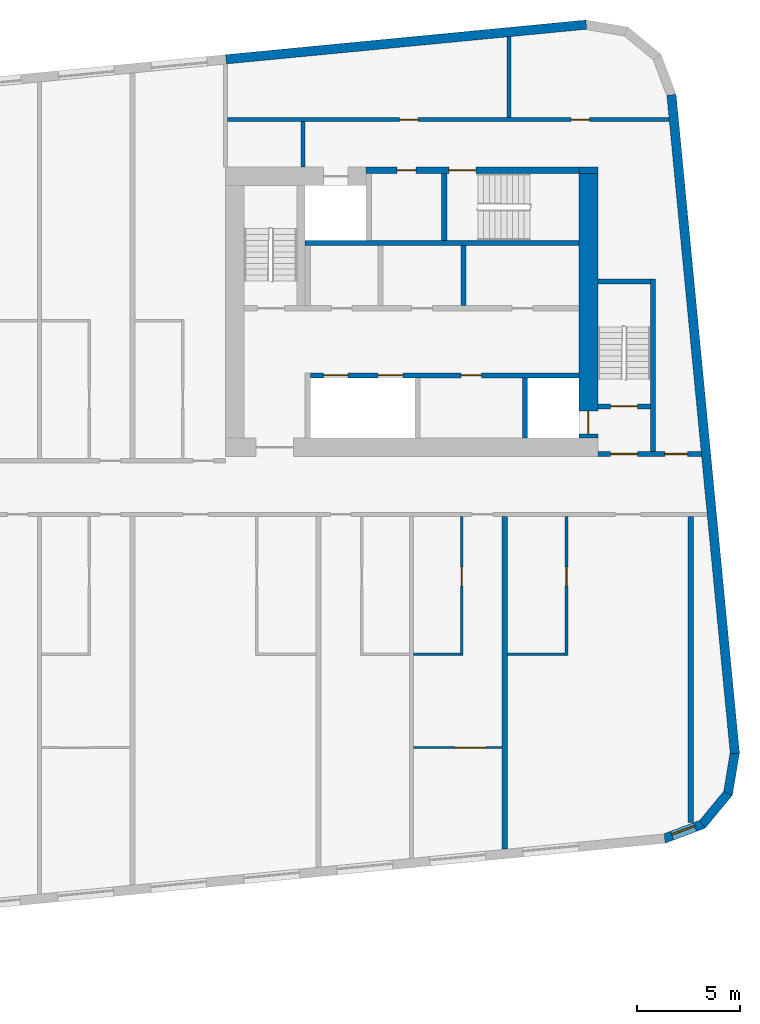
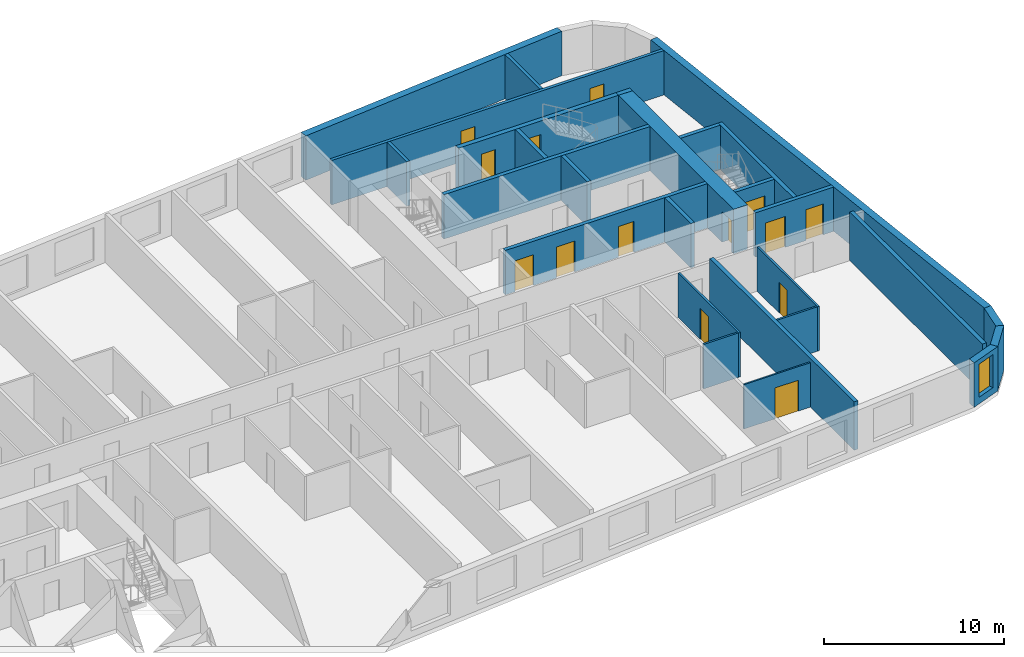
# One storey, part 7 of 12: 27 walls, 14 doors, 1 window, 15 openings.
"""IFC4 building model written with IfcOpenShell, lengths in metres."""

from ifc_helpers import new_model, si_unit, direction, frame, frame_2d, origin, place, context, subcontext, project, spatial, polyline, rectangle, outline, extrude, material, layer, layer_set, type_object, element, fill, save


model = new_model("IFC4")

# Units and contexts
model_context = context("Model", 3, precision=1e-05, world=origin(), true_north=direction((0.0, 1.0)))
body_context = subcontext(model_context, "Body", "Model", "MODEL_VIEW")
ifc_project = project(units=[si_unit("LENGTHUNIT", "METRE"), si_unit("AREAUNIT", "SQUARE_METRE"), si_unit("VOLUMEUNIT", "CUBIC_METRE"), si_unit("PLANEANGLEUNIT", "RADIAN"), si_unit("MASSUNIT", "GRAM", prefix="KILO")], contexts=[model_context])

# Site, building, storey
site_placement = place(None, origin())
site = spatial("IfcSite", under=ifc_project, at=site_placement, CompositionType="ELEMENT")
building_placement = place(site_placement, origin())
building = spatial("IfcBuilding", under=site, at=building_placement, Name="Kajstack Hotel Tower", CompositionType="ELEMENT")
storey_placement = place(building_placement, frame((0.0, 0.0, 301.5)))
storey = spatial("IfcBuildingStorey", under=building, at=storey_placement, Name="L76", CompositionType="ELEMENT", Elevation=301.5)

# Wall
ifc_material_1 = material(Name="Concrete C60/75", Category="concrete")
ifc_layer_1 = layer(ifc_material_1, 0.89990234375)
ifc_layer_set_1 = layer_set([ifc_layer_1], Name="Core wall 900")
wall_type_1 = type_object("IfcWallType", Name="Core wall 900", PredefinedType="SHEAR", material=ifc_layer_set_1)
wall_1_placement = place(storey_placement, frame((30.60009765625, 15.35009765625, 0.0), z_axis=(0.0, 0.0, 1.0), x_axis=(1.0, 0.0, 0.0)))
element("IfcWall", 1, at=wall_1_placement, inside=storey, type_object=wall_type_1, Name="Core wall E RSW", PredefinedType="SHEAR", context=body_context, shape_type="SweptSolid", body=[
    extrude(rectangle(XDim=0.89990234375, YDim=0.300048828125, at=frame_2d((0.449951171875, 0.0))), origin(), (0.0, 0.0, 1.0), 3.02001953125),
])

# Wall, opening, door
wall_2_placement = place(storey_placement, frame((31.050048828125, 2.39990234375, 0.0), z_axis=(0.0, 0.0, 1.0), x_axis=(0.0, 1.0, 0.0)))
wall_2 = element("IfcWall", 2, at=wall_2_placement, inside=storey, type_object=wall_type_1, Name="Core wall E RW", PredefinedType="SHEAR", context=body_context, shape_type="SweptSolid", body=[
    extrude(rectangle(XDim=12.800048828125, YDim=0.89990234375, at=frame_2d((6.39990234375, 0.0))), origin(), (0.0, 0.0, 1.0), 3.02001953125),
])
opening_1_placement = place(wall_2_placement, frame((0.199951171875, 0.0, 0.0)))
opening_1 = element("IfcOpeningElement", 3, at=opening_1_placement, cuts=wall_2, Name="Opening LD-FF2", PredefinedType="OPENING", context=body_context, shape_type="SweptSolid", body=[
    extrude(rectangle(XDim=1.10009765625, YDim=2.10009765625, at=frame_2d((0.550048828125, 1.050048828125))), frame((0.0, 0.4599609375, 0.0), z_axis=(0.0, -1.0, 0.0), x_axis=(1.0, 0.0, 0.0)), (0.0, 0.0, 1.0), 0.919921875),
])
ifc_material_2 = material(Name="Stainless steel", Category="steel")
door_type_1 = type_object("IfcDoorType", Name="Fire-fighting lift landing door 1100", OperationType="SLIDING_TO_LEFT", PredefinedType="DOOR", material=ifc_material_2)
door_1_placement = place(opening_1_placement, origin())
door_1 = element("IfcDoor", 4, at=door_1_placement, inside=storey, type_object=door_type_1, Name="Landing door FF2", OperationType="SLIDING_TO_LEFT", OverallHeight=2.10009765625, OverallWidth=1.10009765625, PredefinedType="DOOR", context=body_context, shape_type="SweptSolid", body=[
    extrude(rectangle(XDim=1.10009765625, YDim=2.10009765625, at=frame_2d((0.550048828125, 1.050048828125))), frame((0.0, 0.02490234375, 0.0), z_axis=(0.0, -1.0, 0.0), x_axis=(1.0, 0.0, 0.0)), (0.0, 0.0, 1.0), 0.050048828125),
])
fill(opening_1, door_1)

# Wall
ifc_material_3 = material(Name="Concrete C40/50", Category="concrete")
ifc_layer_2 = layer(ifc_material_3, 0.449951171875)
ifc_layer_set_2 = layer_set([ifc_layer_2], Name="EW-CORE")
wall_type_2 = type_object("IfcWallType", Name="EW-CORE", PredefinedType="SOLIDWALL", material=ifc_layer_set_2)
wall_3_placement = place(storey_placement, frame((30.94580078125, 22.390625, 0.0), z_axis=(0.0, 0.0, 1.0), x_axis=(-0.995396397117, -0.095843688398, 0.0)))
element("IfcWall", 5, at=wall_3_placement, inside=storey, type_object=wall_type_2, Name="E-wall-L76-12-00", PredefinedType="SOLIDWALL", context=body_context, shape_type="SweptSolid", body=[
    extrude(rectangle(XDim=17.5048828125, YDim=0.449951171875, at=frame_2d((8.75244140625, 0.0))), origin(), (0.0, 0.0, 1.0), 3.02001953125),
])

# Wall, opening, window
ifc_material_4 = material(Name="Terracotta-faced brick masonry", Category="masonry")
ifc_layer_3 = layer(ifc_material_4, 0.449951171875)
ifc_layer_set_3 = layer_set([ifc_layer_3], Name="EW-TERRA")
wall_type_3 = type_object("IfcWallType", Name="EW-TERRA", PredefinedType="SOLIDWALL", material=ifc_layer_set_3)
wall_4_placement = place(storey_placement, frame((34.67919921875, -16.990478515625, 0.0), z_axis=(0.0, 0.0, 1.0), x_axis=(0.936677599948, 0.350192909346, 0.0)))
wall_4 = element("IfcWall", 6, at=wall_4_placement, inside=storey, type_object=wall_type_3, Name="E-wall-L76-05-00", PredefinedType="SOLIDWALL", context=body_context, shape_type="SweptSolid", body=[
    extrude(outline(polyline([(0.0, -0.22509765625), (2.070556640625, -0.22509765625), (1.949951171875, 0.22509765625), (0.12060546875, 0.22509765625), (0.0, -0.22509765625)])), origin(), (0.0, 0.0, 1.0), 3.02001953125),
])
opening_2_placement = place(wall_4_placement, frame((0.435302734375, 0.0, 0.449951171875)))
opening_2 = element("IfcOpeningElement", 7, at=opening_2_placement, cuts=wall_4, Name="Opening W3", PredefinedType="OPENING", context=body_context, shape_type="SweptSolid", body=[
    extrude(rectangle(XDim=1.199951171875, YDim=2.25, at=frame_2d((0.60009765625, 1.125))), frame((0.0, 0.23486328125, 0.0), z_axis=(0.0, -1.0, 0.0), x_axis=(1.0, 0.0, 0.0)), (0.0, 0.0, 1.0), 0.469970703125),
])
ifc_material_5 = material(Name="Timber-aluminium window, triple glazed", Category="wood")
window_type = type_object("IfcWindowType", Name="WG3", PartitioningType="SINGLE_PANEL", PredefinedType="WINDOW", material=ifc_material_5)
window_placement = place(opening_2_placement, origin())
window = element("IfcWindow", 8, at=window_placement, inside=storey, type_object=window_type, Name="Window W3 L76-05", OverallHeight=2.25, OverallWidth=1.199951171875, PartitioningType="SINGLE_PANEL", PredefinedType="WINDOW", context=body_context, shape_type="SweptSolid", body=[
    extrude(rectangle(XDim=1.199951171875, YDim=2.25, at=frame_2d((0.60009765625, 1.125))), frame((0.0, 0.090087890625, 0.0), z_axis=(0.0, -1.0, 0.0), x_axis=(1.0, 0.0, 0.0)), (0.0, 0.0, 1.0), 0.06005859375),
])
fill(opening_2, window)

# Walls
wall_5_placement = place(storey_placement, frame((36.52392578125, -16.3330078125, 0.0), z_axis=(0.0, 0.0, 1.0), x_axis=(0.636046112757, 0.771651049663, 0.0)))
element("IfcWall", 9, at=wall_5_placement, inside=storey, type_object=wall_type_3, Name="E-wall-L76-06-00", PredefinedType="SOLIDWALL", context=body_context, shape_type="SweptSolid", body=[
    extrude(outline(polyline([(0.0, -0.224853515625), (2.070556640625, -0.22509765625), (1.949951171875, 0.22509765625), (0.12060546875, 0.22509765625), (0.0, -0.224853515625)])), origin(), (0.0, 0.0, 1.0), 3.02001953125),
])
wall_6_placement = place(storey_placement, frame((37.79248046875, -14.84130859375, 0.0), z_axis=(0.0, 0.0, 1.0), x_axis=(0.165068144653, 0.986282164302, 0.0)))
element("IfcWall", 10, at=wall_6_placement, inside=storey, type_object=wall_type_3, Name="E-wall-L76-07-00", PredefinedType="SOLIDWALL", context=body_context, shape_type="SweptSolid", body=[
    extrude(outline(polyline([(0.0, -0.22509765625), (2.070556640625, -0.22509765625), (1.949951171875, 0.224853515625), (0.12060546875, 0.224853515625), (0.0, -0.22509765625)])), origin(), (0.0, 0.0, 1.0), 3.02001953125),
])
wall_7_placement = place(storey_placement, frame((38.13232421875, -12.85791015625, 0.0), z_axis=(0.0, 0.0, 1.0), x_axis=(-0.095847749461, 0.995396006082, 0.0)))
element("IfcWall", 11, at=wall_7_placement, inside=storey, type_object=wall_type_3, Name="E-wall-L76-08-00", PredefinedType="SOLIDWALL", context=body_context, shape_type="SweptSolid", body=[
    extrude(rectangle(XDim=32.0, YDim=0.449951171875, at=frame_2d((16.0, 0.0))), origin(), (0.0, 0.0, 1.0), 3.02001953125),
])

# Wall, opening, door
ifc_material_6 = material(Name="Gypsum board and tiled backer on steel studs", Category="steel")
ifc_layer_4 = layer(ifc_material_6, 0.125)
ifc_layer_set_4 = layer_set([ifc_layer_4], Name="En-suite wall 125")
wall_type_4 = type_object("IfcWallType", Name="En-suite wall 125", PredefinedType="PARTITIONING", material=ifc_layer_set_4)
wall_8_placement = place(storey_placement, frame((24.9130859375, -8.125, 0.0), z_axis=(0.0, 0.0, 1.0), x_axis=(0.0, 1.0, 0.0)))
wall_8 = element("IfcWall", 12, at=wall_8_placement, inside=storey, type_object=wall_type_4, Name="G-wall-L76-044", PredefinedType="PARTITIONING", context=body_context, shape_type="SweptSolid", body=[
    extrude(rectangle(XDim=6.72509765625, YDim=0.125, at=frame_2d((3.362548828125, 0.0))), origin(), (0.0, 0.0, 1.0), 3.02001953125),
])
opening_3_placement = place(wall_8_placement, frame((3.375, 0.0, 0.0)))
opening_3 = element("IfcOpeningElement", 13, at=opening_3_placement, cuts=wall_8, Name="Opening 76036", PredefinedType="OPENING", context=body_context, shape_type="SweptSolid", body=[
    extrude(rectangle(XDim=0.89990234375, YDim=2.10009765625, at=frame_2d((0.449951171875, 1.050048828125))), frame((0.0, 0.072509765625, 0.0), z_axis=(0.0, -1.0, 0.0), x_axis=(1.0, 0.0, 0.0)), (0.0, 0.0, 1.0), 0.14501953125),
])
ifc_material_7 = material(Name="Painted timber door leaf", Category="wood")
door_type_2 = type_object("IfcDoorType", Name="Room door 900", OperationType="SINGLE_SWING_LEFT", PredefinedType="DOOR", material=ifc_material_7)
door_2_placement = place(opening_3_placement, origin())
door_2 = element("IfcDoor", 14, at=door_2_placement, inside=storey, type_object=door_type_2, Name="G-door-L76-36", OperationType="SINGLE_SWING_LEFT", OverallHeight=2.10009765625, OverallWidth=0.89990234375, PredefinedType="DOOR", context=body_context, shape_type="SweptSolid", body=[
    extrude(rectangle(XDim=0.89990234375, YDim=2.10009765625, at=frame_2d((0.449951171875, 1.050048828125))), frame((0.0, 0.02490234375, 0.0), z_axis=(0.0, -1.0, 0.0), x_axis=(1.0, 0.0, 0.0)), (0.0, 0.0, 1.0), 0.050048828125),
])
fill(opening_3, door_2)

# Wall
wall_9_placement = place(storey_placement, frame((22.60009765625, -8.06201171875, 0.0), z_axis=(0.0, 0.0, 1.0), x_axis=(1.0, 0.0, 0.0)))
element("IfcWall", 15, at=wall_9_placement, inside=storey, type_object=wall_type_4, Name="G-wall-L76-045", PredefinedType="PARTITIONING", context=body_context, shape_type="SweptSolid", body=[
    extrude(rectangle(XDim=2.25, YDim=0.125, at=frame_2d((1.125, 0.0))), origin(), (0.0, 0.0, 1.0), 3.02001953125),
])

# Wall, opening, door
wall_10_placement = place(storey_placement, frame((29.988037109375, -8.125, 0.0), z_axis=(0.0, 0.0, 1.0), x_axis=(0.0, 1.0, 0.0)))
wall_10 = element("IfcWall", 16, at=wall_10_placement, inside=storey, type_object=wall_type_4, Name="G-wall-L76-047", PredefinedType="PARTITIONING", context=body_context, shape_type="SweptSolid", body=[
    extrude(rectangle(XDim=6.72509765625, YDim=0.125, at=frame_2d((3.362548828125, 0.0))), origin(), (0.0, 0.0, 1.0), 3.02001953125),
])
opening_4_placement = place(wall_10_placement, frame((3.375, 0.0, 0.0)))
opening_4 = element("IfcOpeningElement", 17, at=opening_4_placement, cuts=wall_10, Name="Opening 76039", PredefinedType="OPENING", context=body_context, shape_type="SweptSolid", body=[
    extrude(rectangle(XDim=0.89990234375, YDim=2.10009765625, at=frame_2d((0.449951171875, 1.050048828125))), frame((0.0, 0.072509765625, 0.0), z_axis=(0.0, -1.0, 0.0), x_axis=(1.0, 0.0, 0.0)), (0.0, 0.0, 1.0), 0.14501953125),
])
door_3_placement = place(opening_4_placement, origin())
door_3 = element("IfcDoor", 18, at=door_3_placement, inside=storey, type_object=door_type_2, Name="G-door-L76-39", OperationType="SINGLE_SWING_LEFT", OverallHeight=2.10009765625, OverallWidth=0.89990234375, PredefinedType="DOOR", context=body_context, shape_type="SweptSolid", body=[
    extrude(rectangle(XDim=0.89990234375, YDim=2.10009765625, at=frame_2d((0.449951171875, 1.050048828125))), frame((0.0, 0.02490234375, 0.0), z_axis=(0.0, -1.0, 0.0), x_axis=(1.0, 0.0, 0.0)), (0.0, 0.0, 1.0), 0.050048828125),
])
fill(opening_4, door_3)

# Wall
wall_11_placement = place(storey_placement, frame((27.125, -8.06201171875, 0.0), z_axis=(0.0, 0.0, 1.0), x_axis=(1.0, 0.0, 0.0)))
element("IfcWall", 19, at=wall_11_placement, inside=storey, type_object=wall_type_4, Name="G-wall-L76-048", PredefinedType="PARTITIONING", context=body_context, shape_type="SweptSolid", body=[
    extrude(rectangle(XDim=2.800048828125, YDim=0.125, at=frame_2d((1.39990234375, 0.0))), origin(), (0.0, 0.0, 1.0), 3.02001953125),
])

# Wall, opening, door
ifc_material_8 = material(Name="Gypsum board on steel studs", Category="steel")
ifc_layer_5 = layer(ifc_material_8, 0.10009765625)
ifc_layer_set_5 = layer_set([ifc_layer_5], Name="Partition 100")
wall_type_5 = type_object("IfcWallType", Name="Partition 100", PredefinedType="PARTITIONING", material=ifc_layer_set_5)
wall_12_placement = place(storey_placement, frame((22.60009765625, -12.574951171875, 0.0), z_axis=(0.0, 0.0, 1.0), x_axis=(1.0, 0.0, 0.0)))
wall_12 = element("IfcWall", 20, at=wall_12_placement, inside=storey, type_object=wall_type_5, Name="G-wall-L76-046", PredefinedType="PARTITIONING", context=body_context, shape_type="SweptSolid", body=[
    extrude(rectangle(XDim=4.27490234375, YDim=0.10009765625, at=frame_2d((2.137451171875, 0.0))), origin(), (0.0, 0.0, 1.0), 3.02001953125),
])
opening_5_placement = place(wall_12_placement, frame((1.988037109375, 0.0, 0.0)))
opening_5 = element("IfcOpeningElement", 21, at=opening_5_placement, cuts=wall_12, Name="Opening 76037", PredefinedType="OPENING", context=body_context, shape_type="SweptSolid", body=[
    extrude(rectangle(XDim=1.5, YDim=2.10009765625, at=frame_2d((0.75, 1.050048828125))), frame((0.0, 0.06005859375, 0.0), z_axis=(0.0, -1.0, 0.0), x_axis=(1.0, 0.0, 0.0)), (0.0, 0.0, 1.0), 0.1201171875),
])
ifc_material_9 = material(Name="Painted timber door leaves, glazed panels", Category="wood")
door_type_3 = type_object("IfcDoorType", Name="Double door 1500", OperationType="SINGLE_SWING_LEFT", PredefinedType="DOOR", material=ifc_material_9)
door_4_placement = place(opening_5_placement, origin())
door_4 = element("IfcDoor", 22, at=door_4_placement, inside=storey, type_object=door_type_3, Name="G-door-L76-37", OperationType="SINGLE_SWING_RIGHT", OverallHeight=2.10009765625, OverallWidth=1.5, PredefinedType="DOOR", context=body_context, shape_type="SweptSolid", body=[
    extrude(rectangle(XDim=1.5, YDim=2.10009765625, at=frame_2d((0.75, 1.050048828125))), frame((0.0, 0.02490234375, 0.0), z_axis=(0.0, -1.0, 0.0), x_axis=(1.0, 0.0, 0.0)), (0.0, 0.0, 1.0), 0.050048828125),
])
fill(opening_5, door_4)

# Walls
ifc_layer_6 = layer(ifc_material_3, 0.25)
ifc_layer_set_6 = layer_set([ifc_layer_6], Name="RC cross wall 250 C40/50")
wall_type_6 = type_object("IfcWallType", Name="RC cross wall 250 C40/50", PredefinedType="SHEAR", material=ifc_layer_set_6)
wall_13_placement = place(storey_placement, frame((27.0, -17.47412109375, 0.0), z_axis=(0.0, 0.0, 1.0), x_axis=(0.0, 1.0, 0.0)))
element("IfcWall", 23, at=wall_13_placement, inside=storey, type_object=wall_type_6, Name="S-wall-L76-11", PredefinedType="SHEAR", context=body_context, shape_type="SweptSolid", body=[
    extrude(rectangle(XDim=16.07421875, YDim=0.25, at=frame_2d((8.037109375, 0.0))), origin(), (0.0, 0.0, 1.0), 3.300048828125),
])
wall_14_placement = place(storey_placement, frame((36.0, -16.198974609375, 0.0), z_axis=(0.0, 0.0, 1.0), x_axis=(0.0, 1.0, 0.0)))
element("IfcWall", 24, at=wall_14_placement, inside=storey, type_object=wall_type_6, Name="S-wall-L76-12", PredefinedType="SHEAR", context=body_context, shape_type="SweptSolid", body=[
    extrude(rectangle(XDim=14.799072265625, YDim=0.25, at=frame_2d((7.3994140625, 0.0))), origin(), (0.0, 0.0, 1.0), 3.300048828125),
])
ifc_material_10 = material(Name="Concrete block masonry", Category="masonry")
ifc_layer_7 = layer(ifc_material_10, 0.25)
ifc_layer_set_7 = layer_set([ifc_layer_7], Name="Riser partition 250")
wall_type_7 = type_object("IfcWallType", Name="Riser partition 250", PredefinedType="PARTITIONING", material=ifc_layer_set_7)
wall_15_placement = place(storey_placement, frame((25.0, 8.800048828125, 0.0), z_axis=(0.0, 0.0, 1.0), x_axis=(0.0, 1.0, 0.0)))
element("IfcWall", 25, at=wall_15_placement, inside=storey, type_object=wall_type_7, Name="Partition E BF0", PredefinedType="PARTITIONING", context=body_context, shape_type="SweptSolid", body=[
    extrude(rectangle(XDim=2.89990234375, YDim=0.25, at=frame_2d((1.449951171875, 0.0))), origin(), (0.0, 0.0, 1.0), 3.02001953125),
])

# Wall, openings, doors
ifc_material_11 = material(Name="Gypsum board on steel studs, mineral wool", Category="steel")
ifc_layer_8 = layer(ifc_material_11, 0.199951171875)
ifc_layer_set_8 = layer_set([ifc_layer_8], Name="Service partition 200")
wall_type_8 = type_object("IfcWallType", Name="Service partition 200", PredefinedType="PARTITIONING", material=ifc_layer_set_8)
wall_16_placement = place(storey_placement, frame((31.5, 1.625, 0.0), z_axis=(0.0, 0.0, 1.0), x_axis=(1.0, 0.0, 0.0)))
wall_16 = element("IfcWall", 26, at=wall_16_placement, inside=storey, type_object=wall_type_8, Name="Partition E SN", PredefinedType="PARTITIONING", context=body_context, shape_type="SweptSolid", body=[
    extrude(rectangle(XDim=5.01171875, YDim=0.25, at=frame_2d((2.505859375, 0.0))), origin(), (0.0, 0.0, 1.0), 3.02001953125),
])
opening_6_placement = place(wall_16_placement, frame((0.625, 0.0, 0.0)))
opening_6 = element("IfcOpeningElement", 27, at=opening_6_placement, cuts=wall_16, Name="Opening 76E06", PredefinedType="OPENING", context=body_context, shape_type="SweptSolid", body=[
    extrude(rectangle(XDim=1.300048828125, YDim=2.10009765625, at=frame_2d((0.64990234375, 1.050048828125))), frame((0.0, 0.135009765625, 0.0), z_axis=(0.0, -1.0, 0.0), x_axis=(1.0, 0.0, 0.0)), (0.0, 0.0, 1.0), 0.27001953125),
])
opening_7_placement = place(wall_16_placement, frame((3.25, 0.0, 0.0)))
opening_7 = element("IfcOpeningElement", 28, at=opening_7_placement, cuts=wall_16, Name="Opening 76E08", PredefinedType="OPENING", context=body_context, shape_type="SweptSolid", body=[
    extrude(rectangle(XDim=1.10009765625, YDim=2.10009765625, at=frame_2d((0.550048828125, 1.050048828125))), frame((0.0, 0.135009765625, 0.0), z_axis=(0.0, -1.0, 0.0), x_axis=(1.0, 0.0, 0.0)), (0.0, 0.0, 1.0), 0.27001953125),
])
ifc_material_12 = material(Name="Steel leaf, fire-rated", Category="steel")
door_type_4 = type_object("IfcDoorType", Name="Fire lobby door 1300", OperationType="SINGLE_SWING_LEFT", PredefinedType="DOOR", material=ifc_material_12)
door_5_placement = place(opening_6_placement, origin())
door_5 = element("IfcDoor", 29, at=door_5_placement, inside=storey, type_object=door_type_4, Name="Door 76E06", OperationType="SINGLE_SWING_LEFT", OverallHeight=2.10009765625, OverallWidth=1.300048828125, PredefinedType="DOOR", context=body_context, shape_type="SweptSolid", body=[
    extrude(rectangle(XDim=1.300048828125, YDim=2.10009765625, at=frame_2d((0.64990234375, 1.050048828125))), frame((0.0, 0.02490234375, 0.0), z_axis=(0.0, -1.0, 0.0), x_axis=(1.0, 0.0, 0.0)), (0.0, 0.0, 1.0), 0.050048828125),
])
fill(opening_6, door_5)
ifc_material_13 = material(Name="Timber leaf, fire-rated", Category="wood")
door_type_5 = type_object("IfcDoorType", Name="Service corridor door 1100", OperationType="SINGLE_SWING_LEFT", PredefinedType="DOOR", material=ifc_material_13)
door_6_placement = place(opening_7_placement, origin())
door_6 = element("IfcDoor", 30, at=door_6_placement, inside=storey, type_object=door_type_5, Name="Door 76E08", OperationType="SINGLE_SWING_LEFT", OverallHeight=2.10009765625, OverallWidth=1.10009765625, PredefinedType="DOOR", context=body_context, shape_type="SweptSolid", body=[
    extrude(rectangle(XDim=1.10009765625, YDim=2.10009765625, at=frame_2d((0.550048828125, 1.050048828125))), frame((0.0, 0.02490234375, 0.0), z_axis=(0.0, -1.0, 0.0), x_axis=(1.0, 0.0, 0.0)), (0.0, 0.0, 1.0), 0.050048828125),
])
fill(opening_7, door_6)

# Wall
wall_17_placement = place(storey_placement, frame((17.25, 15.5, 0.0), z_axis=(0.0, 0.0, 1.0), x_axis=(0.0, 1.0, 0.0)))
element("IfcWall", 31, at=wall_17_placement, inside=storey, type_object=wall_type_8, Name="Partition E SCE", PredefinedType="PARTITIONING", context=body_context, shape_type="SweptSolid", body=[
    extrude(rectangle(XDim=2.199951171875, YDim=0.199951171875, at=frame_2d((1.10009765625, 0.0))), origin(), (0.0, 0.0, 1.0), 3.02001953125),
])

# Wall, openings, doors
wall_18_placement = place(storey_placement, frame((13.60009765625, 17.800048828125, 0.0), z_axis=(0.0, 0.0, 1.0), x_axis=(1.0, 0.0, 0.0)))
wall_18 = element("IfcWall", 32, at=wall_18_placement, inside=storey, type_object=wall_type_8, Name="Partition E SLN", PredefinedType="PARTITIONING", context=body_context, shape_type="SweptSolid", body=[
    extrude(rectangle(XDim=21.35400390625, YDim=0.199951171875, at=frame_2d((10.677001953125, 0.0))), origin(), (0.0, 0.0, 1.0), 3.02001953125),
])
opening_8_placement = place(wall_18_placement, frame((16.612548828125, 0.0, 0.0)))
opening_8 = element("IfcOpeningElement", 33, at=opening_8_placement, cuts=wall_18, Name="Opening 76E16", PredefinedType="OPENING", context=body_context, shape_type="SweptSolid", body=[
    extrude(rectangle(XDim=0.89990234375, YDim=2.10009765625, at=frame_2d((0.449951171875, 1.050048828125))), frame((0.0, 0.10986328125, 0.0), z_axis=(0.0, -1.0, 0.0), x_axis=(1.0, 0.0, 0.0)), (0.0, 0.0, 1.0), 0.219970703125),
])
opening_9_placement = place(wall_18_placement, frame((8.3125, 0.0, 0.0)))
opening_9 = element("IfcOpeningElement", 34, at=opening_9_placement, cuts=wall_18, Name="Opening 76E17", PredefinedType="OPENING", context=body_context, shape_type="SweptSolid", body=[
    extrude(rectangle(XDim=0.89990234375, YDim=2.10009765625, at=frame_2d((0.449951171875, 1.050048828125))), frame((0.0, 0.10986328125, 0.0), z_axis=(0.0, -1.0, 0.0), x_axis=(1.0, 0.0, 0.0)), (0.0, 0.0, 1.0), 0.219970703125),
])
door_type_6 = type_object("IfcDoorType", Name="Service door 900", OperationType="SINGLE_SWING_LEFT", PredefinedType="DOOR", material=ifc_material_13)
door_7_placement = place(opening_8_placement, origin())
door_7 = element("IfcDoor", 35, at=door_7_placement, inside=storey, type_object=door_type_6, Name="Door 76E16", OperationType="SINGLE_SWING_LEFT", OverallHeight=2.10009765625, OverallWidth=0.89990234375, PredefinedType="DOOR", context=body_context, shape_type="SweptSolid", body=[
    extrude(rectangle(XDim=0.89990234375, YDim=2.10009765625, at=frame_2d((0.449951171875, 1.050048828125))), frame((0.0, 0.02490234375, 0.0), z_axis=(0.0, -1.0, 0.0), x_axis=(1.0, 0.0, 0.0)), (0.0, 0.0, 1.0), 0.050048828125),
])
fill(opening_8, door_7)
door_8_placement = place(opening_9_placement, origin())
door_8 = element("IfcDoor", 36, at=door_8_placement, inside=storey, type_object=door_type_6, Name="Door 76E17", OperationType="SINGLE_SWING_LEFT", OverallHeight=2.10009765625, OverallWidth=0.89990234375, PredefinedType="DOOR", context=body_context, shape_type="SweptSolid", body=[
    extrude(rectangle(XDim=0.89990234375, YDim=2.10009765625, at=frame_2d((0.449951171875, 1.050048828125))), frame((0.0, 0.02490234375, 0.0), z_axis=(0.0, -1.0, 0.0), x_axis=(1.0, 0.0, 0.0)), (0.0, 0.0, 1.0), 0.050048828125),
])
fill(opening_9, door_8)

# Wall
wall_19_placement = place(storey_placement, frame((27.199951171875, 17.89990234375, 0.0), z_axis=(0.0, 0.0, 1.0), x_axis=(0.0, 1.0, 0.0)))
element("IfcWall", 37, at=wall_19_placement, inside=storey, type_object=wall_type_8, Name="Partition E SLP0", PredefinedType="PARTITIONING", context=body_context, shape_type="SweptSolid", body=[
    extrude(rectangle(XDim=3.905029296875, YDim=0.199951171875, at=frame_2d((1.95263671875, 0.0))), origin(), (0.0, 0.0, 1.0), 3.02001953125),
])

# Wall, openings, doors
ifc_material_14 = material(Name="Concrete C50/60", Category="concrete")
ifc_layer_9 = layer(ifc_material_14, 0.25)
ifc_layer_set_9 = layer_set([ifc_layer_9], Name="Shaft wall 250")
wall_type_9 = type_object("IfcWallType", Name="Shaft wall 250", PredefinedType="SHEAR", material=ifc_layer_set_9)
wall_20_placement = place(storey_placement, frame((20.300048828125, 15.35009765625, 0.0), z_axis=(0.0, 0.0, 1.0), x_axis=(1.0, 0.0, 0.0)))
wall_20 = element("IfcWall", 38, at=wall_20_placement, inside=storey, type_object=wall_type_9, Name="Core wall E RSS", PredefinedType="SHEAR", context=body_context, shape_type="SweptSolid", body=[
    extrude(rectangle(XDim=10.300048828125, YDim=0.300048828125, at=frame_2d((5.14990234375, 0.0))), origin(), (0.0, 0.0, 1.0), 3.02001953125),
])
opening_10_placement = place(wall_20_placement, frame((4.0, 0.0, 0.0)))
opening_10 = element("IfcOpeningElement", 39, at=opening_10_placement, cuts=wall_20, Name="Opening 76E10", PredefinedType="OPENING", context=body_context, shape_type="SweptSolid", body=[
    extrude(rectangle(XDim=1.300048828125, YDim=2.10009765625, at=frame_2d((0.64990234375, 1.050048828125))), frame((0.0, 0.159912109375, 0.0), z_axis=(0.0, -1.0, 0.0), x_axis=(1.0, 0.0, 0.0)), (0.0, 0.0, 1.0), 0.320068359375),
])
opening_11_placement = place(wall_20_placement, frame((1.5, 0.0, 0.0)))
opening_11 = element("IfcOpeningElement", 40, at=opening_11_placement, cuts=wall_20, Name="Opening 76E11", PredefinedType="OPENING", context=body_context, shape_type="SweptSolid", body=[
    extrude(rectangle(XDim=0.89990234375, YDim=2.10009765625, at=frame_2d((0.449951171875, 1.050048828125))), frame((0.0, 0.159912109375, 0.0), z_axis=(0.0, -1.0, 0.0), x_axis=(1.0, 0.0, 0.0)), (0.0, 0.0, 1.0), 0.320068359375),
])
door_9_placement = place(opening_11_placement, origin())
door_9 = element("IfcDoor", 41, at=door_9_placement, inside=storey, type_object=door_type_6, Name="Door 76E11", OperationType="SINGLE_SWING_RIGHT", OverallHeight=2.10009765625, OverallWidth=0.89990234375, PredefinedType="DOOR", context=body_context, shape_type="SweptSolid", body=[
    extrude(rectangle(XDim=0.89990234375, YDim=2.10009765625, at=frame_2d((0.449951171875, 1.050048828125))), frame((0.0, 0.02490234375, 0.0), z_axis=(0.0, -1.0, 0.0), x_axis=(1.0, 0.0, 0.0)), (0.0, 0.0, 1.0), 0.050048828125),
])
fill(opening_11, door_9)
door_type_7 = type_object("IfcDoorType", Name="Stair door 1300", OperationType="SINGLE_SWING_LEFT", PredefinedType="DOOR", material=ifc_material_12)
door_10_placement = place(opening_10_placement, origin())
door_10 = element("IfcDoor", 42, at=door_10_placement, inside=storey, type_object=door_type_7, Name="Door 76E10", OperationType="SINGLE_SWING_LEFT", OverallHeight=2.10009765625, OverallWidth=1.300048828125, PredefinedType="DOOR", context=body_context, shape_type="SweptSolid", body=[
    extrude(rectangle(XDim=1.300048828125, YDim=2.10009765625, at=frame_2d((0.64990234375, 1.050048828125))), frame((0.0, 0.02490234375, 0.0), z_axis=(0.0, -1.0, 0.0), x_axis=(1.0, 0.0, 0.0)), (0.0, 0.0, 1.0), 0.050048828125),
])
fill(opening_10, door_10)

wall_21_placement = place(storey_placement, frame((17.60009765625, 5.425048828125, 0.0), z_axis=(0.0, 0.0, 1.0), x_axis=(1.0, 0.0, 0.0)))
wall_21 = element("IfcWall", 43, at=wall_21_placement, inside=storey, type_object=wall_type_9, Name="Core wall E FA", PredefinedType="SHEAR", context=body_context, shape_type="SweptSolid", body=[
    extrude(rectangle(XDim=13.0, YDim=0.25, at=frame_2d((6.5, 0.0))), origin(), (0.0, 0.0, 1.0), 3.02001953125),
])
opening_12_placement = place(wall_21_placement, frame((3.27490234375, 0.0, 0.0)))
opening_12 = element("IfcOpeningElement", 44, at=opening_12_placement, cuts=wall_21, Name="Opening LD-HR3", PredefinedType="OPENING", context=body_context, shape_type="SweptSolid", body=[
    extrude(rectangle(XDim=1.199951171875, YDim=2.10009765625, at=frame_2d((0.60009765625, 1.050048828125))), frame((0.0, 0.135009765625, 0.0), z_axis=(0.0, -1.0, 0.0), x_axis=(1.0, 0.0, 0.0)), (0.0, 0.0, 1.0), 0.27001953125),
])
opening_13_placement = place(wall_21_placement, frame((0.625, 0.0, 0.0)))
opening_13 = element("IfcOpeningElement", 45, at=opening_13_placement, cuts=wall_21, Name="Opening LD-HR4", PredefinedType="OPENING", context=body_context, shape_type="SweptSolid", body=[
    extrude(rectangle(XDim=1.199951171875, YDim=2.10009765625, at=frame_2d((0.60009765625, 1.050048828125))), frame((0.0, 0.135009765625, 0.0), z_axis=(0.0, -1.0, 0.0), x_axis=(1.0, 0.0, 0.0)), (0.0, 0.0, 1.0), 0.27001953125),
])
opening_14_placement = place(wall_21_placement, frame((7.27490234375, 0.0, 0.0)))
opening_14 = element("IfcOpeningElement", 46, at=opening_14_placement, cuts=wall_21, Name="Opening 76E15", PredefinedType="OPENING", context=body_context, shape_type="SweptSolid", body=[
    extrude(rectangle(XDim=1.0, YDim=2.10009765625, at=frame_2d((0.5, 1.050048828125))), frame((0.0, 0.135009765625, 0.0), z_axis=(0.0, -1.0, 0.0), x_axis=(1.0, 0.0, 0.0)), (0.0, 0.0, 1.0), 0.27001953125),
])
door_type_8 = type_object("IfcDoorType", Name="Lift landing door 1200", OperationType="SLIDING_TO_LEFT", PredefinedType="DOOR", material=ifc_material_2)
door_11_placement = place(opening_12_placement, origin())
door_11 = element("IfcDoor", 47, at=door_11_placement, inside=storey, type_object=door_type_8, Name="Landing door HR3", OperationType="SLIDING_TO_RIGHT", OverallHeight=2.10009765625, OverallWidth=1.199951171875, PredefinedType="DOOR", context=body_context, shape_type="SweptSolid", body=[
    extrude(rectangle(XDim=1.199951171875, YDim=2.10009765625, at=frame_2d((0.60009765625, 1.050048828125))), frame((0.0, 0.02490234375, 0.0), z_axis=(0.0, -1.0, 0.0), x_axis=(1.0, 0.0, 0.0)), (0.0, 0.0, 1.0), 0.050048828125),
])
fill(opening_12, door_11)
door_12_placement = place(opening_13_placement, origin())
door_12 = element("IfcDoor", 48, at=door_12_placement, inside=storey, type_object=door_type_8, Name="Landing door HR4", OperationType="SLIDING_TO_LEFT", OverallHeight=2.10009765625, OverallWidth=1.199951171875, PredefinedType="DOOR", context=body_context, shape_type="SweptSolid", body=[
    extrude(rectangle(XDim=1.199951171875, YDim=2.10009765625, at=frame_2d((0.60009765625, 1.050048828125))), frame((0.0, 0.02490234375, 0.0), z_axis=(0.0, -1.0, 0.0), x_axis=(1.0, 0.0, 0.0)), (0.0, 0.0, 1.0), 0.050048828125),
])
fill(opening_13, door_12)
door_type_9 = type_object("IfcDoorType", Name="Service room door 1000", OperationType="SINGLE_SWING_LEFT", PredefinedType="DOOR", material=ifc_material_13)
door_13_placement = place(opening_14_placement, origin())
door_13 = element("IfcDoor", 49, at=door_13_placement, inside=storey, type_object=door_type_9, Name="Door 76E15", OperationType="SINGLE_SWING_LEFT", OverallHeight=2.10009765625, OverallWidth=1.0, PredefinedType="DOOR", context=body_context, shape_type="SweptSolid", body=[
    extrude(rectangle(XDim=1.0, YDim=2.10009765625, at=frame_2d((0.5, 1.050048828125))), frame((0.0, 0.02490234375, 0.0), z_axis=(0.0, -1.0, 0.0), x_axis=(1.0, 0.0, 0.0)), (0.0, 0.0, 1.0), 0.050048828125),
])
fill(opening_14, door_13)

# Walls
wall_22_placement = place(storey_placement, frame((27.97509765625, 2.39990234375, 0.0), z_axis=(0.0, 0.0, 1.0), x_axis=(0.0, 1.0, 0.0)))
element("IfcWall", 50, at=wall_22_placement, inside=storey, type_object=wall_type_9, Name="Core wall E AP0", PredefinedType="SHEAR", context=body_context, shape_type="SweptSolid", body=[
    extrude(rectangle(XDim=2.900146484375, YDim=0.25, at=frame_2d((1.4501953125, 0.0))), origin(), (0.0, 0.0, 1.0), 3.02001953125),
])
wall_23_placement = place(storey_placement, frame((17.35009765625, 11.824951171875, 0.0), z_axis=(0.0, 0.0, 1.0), x_axis=(1.0, 0.0, 0.0)))
element("IfcWall", 51, at=wall_23_placement, inside=storey, type_object=wall_type_9, Name="Core wall E RB", PredefinedType="SHEAR", context=body_context, shape_type="SweptSolid", body=[
    extrude(rectangle(XDim=13.25, YDim=0.25, at=frame_2d((6.625, 0.0))), origin(), (0.0, 0.0, 1.0), 3.02001953125),
])

# Wall, opening, door
ifc_layer_10 = layer(ifc_material_3, 0.25)
ifc_layer_set_10 = layer_set([ifc_layer_10], Name="Stair enclosure wall 250")
wall_type_10 = type_object("IfcWallType", Name="Stair enclosure wall 250", PredefinedType="SHEAR", material=ifc_layer_set_10)
wall_24_placement = place(storey_placement, frame((31.5, 3.925048828125, 0.0), z_axis=(0.0, 0.0, 1.0), x_axis=(1.0, 0.0, 0.0)))
wall_24 = element("IfcWall", 52, at=wall_24_placement, inside=storey, type_object=wall_type_10, Name="Core wall E W1N", PredefinedType="SHEAR", context=body_context, shape_type="SweptSolid", body=[
    extrude(rectangle(XDim=2.550048828125, YDim=0.25, at=frame_2d((1.27490234375, 0.0))), origin(), (0.0, 0.0, 1.0), 3.02001953125),
])
opening_15_placement = place(wall_24_placement, frame((0.625, 0.0, 0.0)))
opening_15 = element("IfcOpeningElement", 53, at=opening_15_placement, cuts=wall_24, Name="Opening 76E07", PredefinedType="OPENING", context=body_context, shape_type="SweptSolid", body=[
    extrude(rectangle(XDim=1.300048828125, YDim=2.10009765625, at=frame_2d((0.64990234375, 1.050048828125))), frame((0.0, 0.135009765625, 0.0), z_axis=(0.0, -1.0, 0.0), x_axis=(1.0, 0.0, 0.0)), (0.0, 0.0, 1.0), 0.27001953125),
])
door_14_placement = place(opening_15_placement, origin())
door_14 = element("IfcDoor", 54, at=door_14_placement, inside=storey, type_object=door_type_7, Name="Door 76E07", OperationType="SINGLE_SWING_LEFT", OverallHeight=2.10009765625, OverallWidth=1.300048828125, PredefinedType="DOOR", context=body_context, shape_type="SweptSolid", body=[
    extrude(rectangle(XDim=1.300048828125, YDim=2.10009765625, at=frame_2d((0.64990234375, 1.050048828125))), frame((0.0, 0.02490234375, 0.0), z_axis=(0.0, -1.0, 0.0), x_axis=(1.0, 0.0, 0.0)), (0.0, 0.0, 1.0), 0.050048828125),
])
fill(opening_15, door_14)

# Walls
wall_25_placement = place(storey_placement, frame((34.175048828125, 1.75, 0.0), z_axis=(0.0, 0.0, 1.0), x_axis=(0.0, 1.0, 0.0)))
element("IfcWall", 55, at=wall_25_placement, inside=storey, type_object=wall_type_10, Name="Core wall E W1W", PredefinedType="SHEAR", context=body_context, shape_type="SweptSolid", body=[
    extrude(rectangle(XDim=8.35009765625, YDim=0.25, at=frame_2d((4.175048828125, 0.0))), origin(), (0.0, 0.0, 1.0), 3.02001953125),
])
wall_26_placement = place(storey_placement, frame((31.5, 9.97509765625, 0.0), z_axis=(0.0, 0.0, 1.0), x_axis=(1.0, 0.0, 0.0)))
element("IfcWall", 56, at=wall_26_placement, inside=storey, type_object=wall_type_10, Name="Core wall E W1S", PredefinedType="SHEAR", context=body_context, shape_type="SweptSolid", body=[
    extrude(rectangle(XDim=2.550048828125, YDim=0.25, at=frame_2d((1.27490234375, 0.0))), origin(), (0.0, 0.0, 1.0), 3.02001953125),
])
ifc_layer_11 = layer(ifc_material_14, 0.35009765625)
ifc_layer_set_11 = layer_set([ifc_layer_11], Name="Stair enclosure wall 350")
wall_type_11 = type_object("IfcWallType", Name="Stair enclosure wall 350", PredefinedType="SHEAR", material=ifc_layer_set_11)
wall_27_placement = place(storey_placement, frame((24.074951171875, 11.949951171875, 0.0), z_axis=(0.0, 0.0, 1.0), x_axis=(0.0, 1.0, 0.0)))
element("IfcWall", 57, at=wall_27_placement, inside=storey, type_object=wall_type_11, Name="Core wall E W3E", PredefinedType="SHEAR", context=body_context, shape_type="SweptSolid", body=[
    extrude(rectangle(XDim=3.25, YDim=0.25, at=frame_2d((1.625, 0.0))), origin(), (0.0, 0.0, 1.0), 3.02001953125),
])

save(model, "model.ifc")
